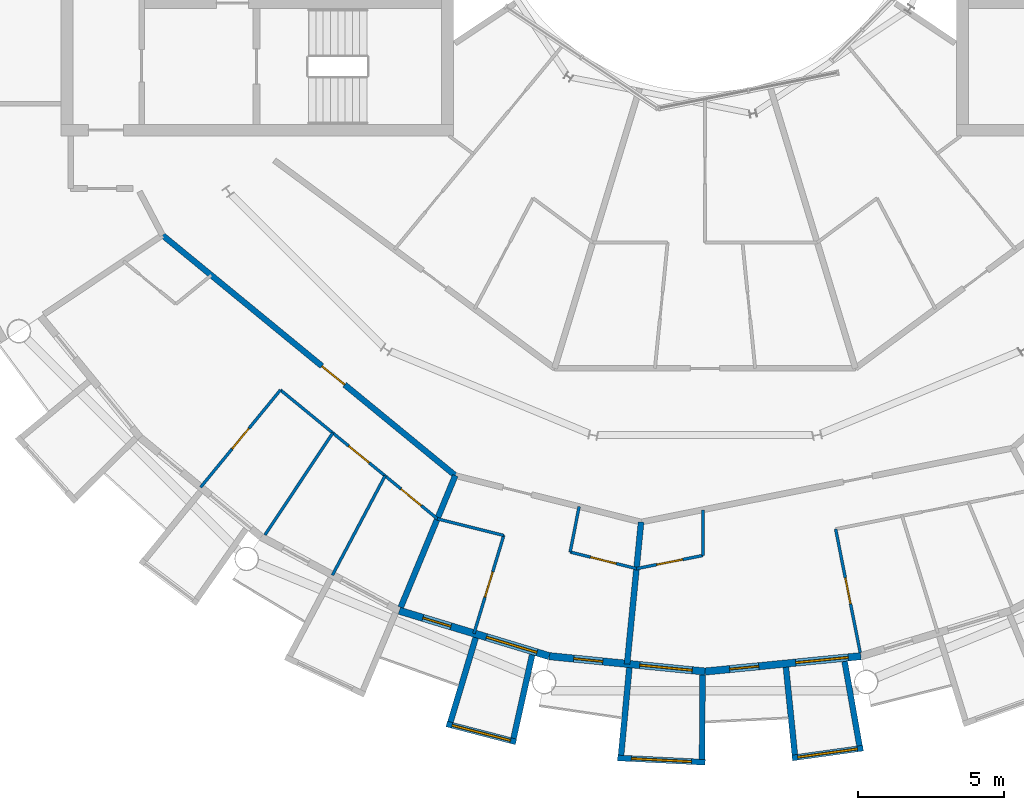
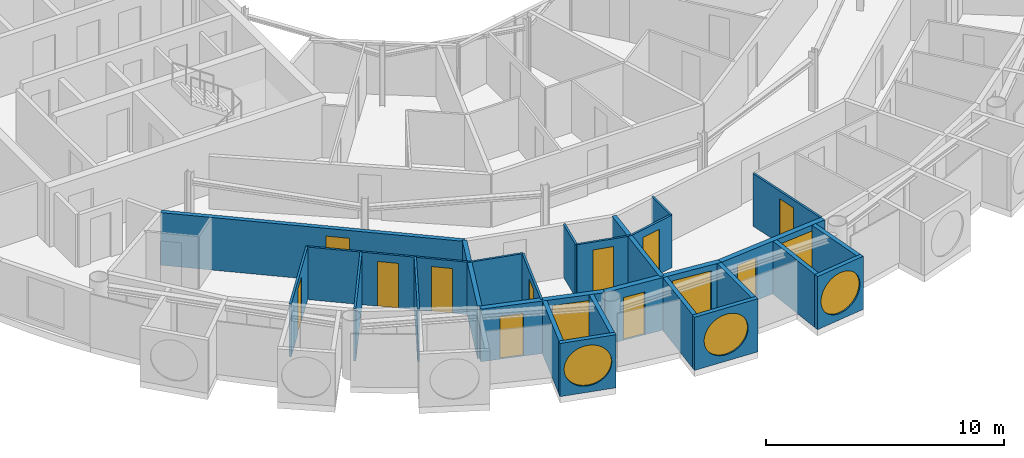
# One storey, part 15 of 28: 26 walls, 11 doors, 6 windows, 17 openings.
"""IFC4 building model written with IfcOpenShell, lengths in metres."""

from ifc_helpers import new_model, si_unit, direction, frame, frame_2d, origin, place, context, subcontext, project, spatial, rectangle, circle, extrude, material, layer, layer_set, type_object, element, fill, save


model = new_model("IFC4")

# Units and contexts
model_context = context("Model", 3, precision=1e-05, world=origin(), true_north=direction((0.0, 1.0)))
body_context = subcontext(model_context, "Body", "Model", "MODEL_VIEW")
ifc_project = project(units=[si_unit("LENGTHUNIT", "METRE"), si_unit("AREAUNIT", "SQUARE_METRE"), si_unit("VOLUMEUNIT", "CUBIC_METRE"), si_unit("PLANEANGLEUNIT", "RADIAN"), si_unit("MASSUNIT", "GRAM", prefix="KILO")], contexts=[model_context])

# Site, building, storey
site_placement = place(None, origin())
site = spatial("IfcSite", under=ifc_project, at=site_placement, CompositionType="ELEMENT")
building_placement = place(site_placement, origin())
building = spatial("IfcBuilding", under=site, at=building_placement, Name="Maasbend Ring Residences", CompositionType="ELEMENT")
storey_placement = place(building_placement, frame((0.0, 0.0, 227.949951171875)))
storey = spatial("IfcBuildingStorey", under=building, at=storey_placement, Name="L65", CompositionType="ELEMENT", Elevation=227.949951171875)

# Wall, opening, door
ifc_material_1 = material(Name="Concrete C30/37", Category="concrete")
ifc_layer_1 = layer(ifc_material_1, 0.199951171875)
ifc_layer_set_1 = layer_set([ifc_layer_1], Name="Concrete C30/37")
wall_type_1 = type_object("IfcWallType", Name="CORRIDOR WALL 200 CONCRETE", PredefinedType="PARTITIONING", material=ifc_layer_set_1)
wall_1_placement = place(storey_placement, frame((-18.5419921875, -12.388916015625, 0.0), z_axis=(0.0, 0.0, 1.0), x_axis=(0.772983503654, -0.634426121056, 0.0)))
wall_1 = element("IfcWall", 1, at=wall_1_placement, inside=storey, type_object=wall_type_1, Name="U-L65-w015", PredefinedType="PARTITIONING", context=body_context, shape_type="SweptSolid", body=[
    extrude(rectangle(XDim=12.947265625, YDim=0.199951171875, at=frame_2d((6.4736328125, 0.0))), origin(), (0.0, 0.0, 1.0), 2.699951171875),
])
opening_1_placement = place(wall_1_placement, frame((7.052978515625, 0.0, 0.0)))
opening_1 = element("IfcOpeningElement", 2, at=opening_1_placement, cuts=wall_1, Name="Opening D-6527", PredefinedType="OPENING", context=body_context, shape_type="SweptSolid", body=[
    extrude(rectangle(XDim=1.0, YDim=2.300048828125, at=frame_2d((0.5, 1.14990234375))), frame((0.0, 0.10986328125, 0.0), z_axis=(0.0, -1.0, 0.0), x_axis=(1.0, 0.0, 0.0)), (0.0, 0.0, 1.0), 0.219970703125),
])
ifc_material_2 = material(Name="Timber, fire-rated, painted", Category="wood")
door_type_1 = type_object("IfcDoorType", Name="FLAT ENTRANCE DOOR 1000 X 2300 FIRE-RATED", OperationType="NOTDEFINED", PredefinedType="DOOR", material=ifc_material_2)
door_1_placement = place(opening_1_placement, origin())
door_1 = element("IfcDoor", 3, at=door_1_placement, inside=storey, type_object=door_type_1, Name="D-6527", OperationType="SINGLE_SWING_RIGHT", OverallHeight=2.300048828125, OverallWidth=1.0, PredefinedType="DOOR", context=body_context, shape_type="SweptSolid", body=[
    extrude(rectangle(XDim=1.0, YDim=2.300048828125, at=frame_2d((0.5, 1.14990234375))), frame((0.0, 0.02490234375, 0.0), z_axis=(0.0, -1.0, 0.0), x_axis=(1.0, 0.0, 0.0)), (0.0, 0.0, 1.0), 0.050048828125),
])
fill(opening_1, door_1)

# Wall, opening, window
ifc_material_3 = material(Name="Pale anodised aluminium panel", Category="aluminium")
ifc_layer_2 = layer(ifc_material_3, 0.199951171875)
ifc_layer_set_2 = layer_set([ifc_layer_2], Name="EW-BOX")
wall_type_2 = type_object("IfcWallType", Name="EW-BOX", PredefinedType="SOLIDWALL", material=ifc_layer_set_2)
wall_2_placement = place(storey_placement, frame((-8.8291015625, -29.090087890625, -0.030029296875), z_axis=(0.0, 0.0, 1.0), x_axis=(0.96789536872, -0.251353446784, 0.0)))
wall_2 = element("IfcWall", 4, at=wall_2_placement, inside=storey, type_object=wall_type_2, Name="Box front S08", PredefinedType="SOLIDWALL", context=body_context, shape_type="SweptSolid", body=[
    extrude(rectangle(XDim=2.44677734375, YDim=0.199951171875, at=frame_2d((1.223388671875, 0.0))), origin(), (0.0, 0.0, 1.0), 2.72998046875),
])
opening_2_placement = place(wall_2_placement, frame((0.182861328125, 0.0, 0.330078125)))
opening_2 = element("IfcOpeningElement", 5, at=opening_2_placement, cuts=wall_2, Name="Opening W-RD", PredefinedType="OPENING", context=body_context, shape_type="SweptSolid", body=[
    extrude(circle(Radius=1.0400390625, at=frame_2d((1.0400390625, 1.0400390625))), frame((0.0, 0.10986328125, 0.0), z_axis=(0.0, -1.0, 0.0), x_axis=(1.0, 0.0, 0.0)), (0.0, 0.0, 1.0), 0.219970703125),
])
ifc_material_4 = material(Name="Aluminium and clear glass", Category="aluminium")
window_type_1 = type_object("IfcWindowType", Name="W-RD", PartitioningType="SINGLE_PANEL", PredefinedType="WINDOW", material=ifc_material_4)
window_1_placement = place(opening_2_placement, origin())
window_1 = element("IfcWindow", 6, at=window_1_placement, inside=storey, type_object=window_type_1, Name="Round window S08", OverallHeight=2.080078125, OverallWidth=2.080078125, PartitioningType="SINGLE_PANEL", PredefinedType="WINDOW", context=body_context, shape_type="SweptSolid", body=[
    extrude(circle(Radius=1.0400390625, at=frame_2d((1.0400390625, 1.0400390625))), frame((0.0, 0.030029296875, 0.0), z_axis=(0.0, -1.0, 0.0), x_axis=(1.0, 0.0, 0.0)), (0.0, 0.0, 1.0), 0.06005859375),
])
fill(opening_2, window_1)

# Walls
wall_3_placement = place(storey_placement, frame((-7.8369140625, -26.14404296875, -0.030029296875), z_axis=(0.0, 0.0, 1.0), x_axis=(-0.287064767992, -0.957911174889, 0.0)))
element("IfcWall", 7, at=wall_3_placement, inside=storey, type_object=wall_type_2, Name="Box side wall S08 left", PredefinedType="SOLIDWALL", context=body_context, shape_type="SweptSolid", body=[
    extrude(rectangle(XDim=3.00634765625, YDim=0.199951171875, at=frame_2d((1.503173828125, 0.0))), origin(), (0.0, 0.0, 1.0), 2.72998046875),
])
wall_4_placement = place(storey_placement, frame((-5.908935546875, -26.72900390625, -0.030029296875), z_axis=(0.0, 0.0, 1.0), x_axis=(-0.216409053917, -0.976302781612, 0.0)))
element("IfcWall", 8, at=wall_4_placement, inside=storey, type_object=wall_type_2, Name="Box side wall S08 right", PredefinedType="SOLIDWALL", context=body_context, shape_type="SweptSolid", body=[
    extrude(rectangle(XDim=2.92529296875, YDim=0.199951171875, at=frame_2d((1.462646484375, 0.0))), origin(), (0.0, 0.0, 1.0), 2.72998046875),
])

# Wall, opening, window
wall_5_placement = place(storey_placement, frame((-2.985107421875, -30.2529296875, -0.030029296875), z_axis=(0.0, 0.0, 1.0), x_axis=(0.998794083011, -0.049095618353, 0.0)))
wall_5 = element("IfcWall", 9, at=wall_5_placement, inside=storey, type_object=wall_type_2, Name="Box front S10", PredefinedType="SOLIDWALL", context=body_context, shape_type="SweptSolid", body=[
    extrude(rectangle(XDim=2.99365234375, YDim=0.199951171875, at=frame_2d((1.496826171875, 0.0))), origin(), (0.0, 0.0, 1.0), 2.72998046875),
])
opening_3_placement = place(wall_5_placement, frame((0.45654296875, 0.0, 0.330078125)))
opening_3 = element("IfcOpeningElement", 10, at=opening_3_placement, cuts=wall_5, Name="Opening W-RD", PredefinedType="OPENING", context=body_context, shape_type="SweptSolid", body=[
    extrude(circle(Radius=1.0400390625, at=frame_2d((1.0400390625, 1.0400390625))), frame((0.0, 0.10986328125, 0.0), z_axis=(0.0, -1.0, 0.0), x_axis=(1.0, 0.0, 0.0)), (0.0, 0.0, 1.0), 0.219970703125),
])
window_2_placement = place(opening_3_placement, origin())
window_2 = element("IfcWindow", 11, at=window_2_placement, inside=storey, type_object=window_type_1, Name="Round window S10", OverallHeight=2.080078125, OverallWidth=2.080078125, PartitioningType="SINGLE_PANEL", PredefinedType="WINDOW", context=body_context, shape_type="SweptSolid", body=[
    extrude(circle(Radius=1.0400390625, at=frame_2d((1.0400390625, 1.0400390625))), frame((0.0, 0.030029296875, 0.0), z_axis=(0.0, -1.0, 0.0), x_axis=(1.0, 0.0, 0.0)), (0.0, 0.0, 1.0), 0.06005859375),
])
fill(opening_3, window_2)

# Walls
wall_6_placement = place(storey_placement, frame((-2.5859375, -27.1708984375, -0.030029296875), z_axis=(0.0, 0.0, 1.0), x_axis=(-0.094548432284, -0.995520262954, 0.0)))
element("IfcWall", 12, at=wall_6_placement, inside=storey, type_object=wall_type_2, Name="Box side wall S10 left", PredefinedType="SOLIDWALL", context=body_context, shape_type="SweptSolid", body=[
    extrude(rectangle(XDim=3.005615234375, YDim=0.199951171875, at=frame_2d((1.5029296875, 0.0))), origin(), (0.0, 0.0, 1.0), 2.72998046875),
])
wall_7_placement = place(storey_placement, frame((-0.090087890625, -27.4169921875, -0.030029296875), z_axis=(0.0, 0.0, 1.0), x_axis=(-0.00347308367, -0.999993968827, 0.0)))
element("IfcWall", 13, at=wall_7_placement, inside=storey, type_object=wall_type_2, Name="Box side wall S10 right", PredefinedType="SOLIDWALL", context=body_context, shape_type="SweptSolid", body=[
    extrude(rectangle(XDim=2.882080078125, YDim=0.199951171875, at=frame_2d((1.44091796875, 0.0))), origin(), (0.0, 0.0, 1.0), 2.72998046875),
])

# Wall, opening, window
wall_8_placement = place(storey_placement, frame((2.97607421875, -30.25390625, -0.030029296875), z_axis=(0.0, 0.0, 1.0), x_axis=(0.990462016113, 0.137786046596, 0.0)))
wall_8 = element("IfcWall", 14, at=wall_8_placement, inside=storey, type_object=wall_type_2, Name="Box front S12", PredefinedType="SOLIDWALL", context=body_context, shape_type="SweptSolid", body=[
    extrude(rectangle(XDim=2.4453125, YDim=0.199951171875, at=frame_2d((1.22265625, 0.0))), origin(), (0.0, 0.0, 1.0), 2.72998046875),
])
opening_4_placement = place(wall_8_placement, frame((0.182861328125, 0.0, 0.330078125)))
opening_4 = element("IfcOpeningElement", 15, at=opening_4_placement, cuts=wall_8, Name="Opening W-RD", PredefinedType="OPENING", context=body_context, shape_type="SweptSolid", body=[
    extrude(circle(Radius=1.0400390625, at=frame_2d((1.0400390625, 1.0400390625))), frame((0.0, 0.10986328125, 0.0), z_axis=(0.0, -1.0, 0.0), x_axis=(1.0, 0.0, 0.0)), (0.0, 0.0, 1.0), 0.219970703125),
])
window_3_placement = place(opening_4_placement, origin())
window_3 = element("IfcWindow", 16, at=window_3_placement, inside=storey, type_object=window_type_1, Name="Round window S12", OverallHeight=2.080078125, OverallWidth=2.080078125, PartitioningType="SINGLE_PANEL", PredefinedType="WINDOW", context=body_context, shape_type="SweptSolid", body=[
    extrude(circle(Radius=1.0400390625, at=frame_2d((1.0400390625, 1.0400390625))), frame((0.0, 0.030029296875, 0.0), z_axis=(0.0, -1.0, 0.0), x_axis=(1.0, 0.0, 0.0)), (0.0, 0.0, 1.0), 0.06005859375),
])
fill(opening_4, window_3)

# Walls
wall_9_placement = place(storey_placement, frame((2.763916015625, -27.153076171875, -0.030029296875), z_axis=(0.0, 0.0, 1.0), x_axis=(0.101505487237, -0.994834979311, 0.0)))
element("IfcWall", 17, at=wall_9_placement, inside=storey, type_object=wall_type_2, Name="Box side wall S12 left", PredefinedType="SOLIDWALL", context=body_context, shape_type="SweptSolid", body=[
    extrude(rectangle(XDim=3.006591796875, YDim=0.199951171875, at=frame_2d((1.50341796875, 0.0))), origin(), (0.0, 0.0, 1.0), 2.72998046875),
])
wall_10_placement = place(storey_placement, frame((4.76904296875, -26.9560546875, -0.030029296875), z_axis=(0.0, 0.0, 1.0), x_axis=(0.174056778901, -0.984735618183, 0.0)))
element("IfcWall", 18, at=wall_10_placement, inside=storey, type_object=wall_type_2, Name="Box side wall S12 right", PredefinedType="SOLIDWALL", context=body_context, shape_type="SweptSolid", body=[
    extrude(rectangle(XDim=2.924560546875, YDim=0.199951171875, at=frame_2d((1.46240234375, 0.0))), origin(), (0.0, 0.0, 1.0), 2.72998046875),
])

# Wall, openings, door, window
ifc_material_5 = material(Name="Aluminium clad insulated panel", Category="aluminium")
ifc_layer_3 = layer(ifc_material_5, 0.25)
ifc_layer_set_3 = layer_set([ifc_layer_3], Name="EW-GL")
wall_type_3 = type_object("IfcWallType", Name="EW-GL", PredefinedType="SOLIDWALL", material=ifc_layer_set_3)
wall_11_placement = place(storey_placement, frame((-10.447021484375, -25.221923828125, 0.0), z_axis=(0.0, 0.0, 1.0), x_axis=(0.956965678721, -0.290201119486, 0.0)))
wall_11 = element("IfcWall", 19, at=wall_11_placement, inside=storey, type_object=wall_type_3, Name="External wall S04", PredefinedType="SOLIDWALL", context=body_context, shape_type="SweptSolid", body=[
    extrude(rectangle(XDim=5.351318359375, YDim=0.25, at=frame_2d((2.67578125, 0.0))), origin(), (0.0, 0.0, 1.0), 2.699951171875),
])
opening_5_placement = place(wall_11_placement, frame((0.841064453125, 0.0, 0.0)))
opening_5 = element("IfcOpeningElement", 20, at=opening_5_placement, cuts=wall_11, Name="Opening D-LG", PredefinedType="OPENING", context=body_context, shape_type="SweptSolid", body=[
    extrude(rectangle(XDim=1.0, YDim=2.199951171875, at=frame_2d((0.5, 1.10009765625))), frame((0.0, 0.135009765625, 0.0), z_axis=(0.0, -1.0, 0.0), x_axis=(1.0, 0.0, 0.0)), (0.0, 0.0, 1.0), 0.27001953125),
])
opening_6_placement = place(wall_11_placement, frame((3.110595703125, 0.0, 0.300048828125)))
opening_6 = element("IfcOpeningElement", 21, at=opening_6_placement, cuts=wall_11, Name="Opening W-BX", PredefinedType="OPENING", context=body_context, shape_type="SweptSolid", body=[
    extrude(rectangle(XDim=1.800048828125, YDim=2.10009765625, at=frame_2d((0.89990234375, 1.050048828125))), frame((0.0, 0.135009765625, 0.0), z_axis=(0.0, -1.0, 0.0), x_axis=(1.0, 0.0, 0.0)), (0.0, 0.0, 1.0), 0.27001953125),
])
ifc_material_6 = material(Name="Aluminium and clear glass", Category="aluminium")
door_type_2 = type_object("IfcDoorType", Name="D-LG", OperationType="SINGLE_SWING_LEFT", PredefinedType="DOOR", material=ifc_material_6)
door_2_placement = place(opening_5_placement, origin())
door_2 = element("IfcDoor", 22, at=door_2_placement, inside=storey, type_object=door_type_2, Name="Loggia door S07", OperationType="SINGLE_SWING_LEFT", OverallHeight=2.199951171875, OverallWidth=1.0, PredefinedType="DOOR", context=body_context, shape_type="SweptSolid", body=[
    extrude(rectangle(XDim=1.0, YDim=2.199951171875, at=frame_2d((0.5, 1.10009765625))), frame((0.0, 0.02490234375, 0.0), z_axis=(0.0, -1.0, 0.0), x_axis=(1.0, 0.0, 0.0)), (0.0, 0.0, 1.0), 0.050048828125),
])
fill(opening_5, door_2)
ifc_material_7 = material(Name="Aluminium and clear glass", Category="aluminium")
window_type_2 = type_object("IfcWindowType", Name="W-BX", PartitioningType="DOUBLE_PANEL_VERTICAL", PredefinedType="WINDOW", material=ifc_material_7)
window_4_placement = place(opening_6_placement, origin())
window_4 = element("IfcWindow", 23, at=window_4_placement, inside=storey, type_object=window_type_2, Name="Window S08 room to box", OverallHeight=2.10009765625, OverallWidth=1.800048828125, PartitioningType="SINGLE_PANEL", PredefinedType="WINDOW", context=body_context, shape_type="SweptSolid", body=[
    extrude(rectangle(XDim=1.800048828125, YDim=2.10009765625, at=frame_2d((0.89990234375, 1.050048828125))), frame((0.0, 0.030029296875, 0.0), z_axis=(0.0, -1.0, 0.0), x_axis=(1.0, 0.0, 0.0)), (0.0, 0.0, 1.0), 0.06005859375),
])
fill(opening_6, window_4)

wall_12_placement = place(storey_placement, frame((-5.325927734375, -26.77490234375, 0.0), z_axis=(0.0, 0.0, 1.0), x_axis=(0.995173996315, -0.098126026407, 0.0)))
wall_12 = element("IfcWall", 24, at=wall_12_placement, inside=storey, type_object=wall_type_3, Name="External wall S05", PredefinedType="SOLIDWALL", context=body_context, shape_type="SweptSolid", body=[
    extrude(rectangle(XDim=5.351806640625, YDim=0.25, at=frame_2d((2.67578125, 0.0))), origin(), (0.0, 0.0, 1.0), 2.699951171875),
])
opening_7_placement = place(wall_12_placement, frame((0.841064453125, 0.0, 0.0)))
opening_7 = element("IfcOpeningElement", 25, at=opening_7_placement, cuts=wall_12, Name="Opening D-LG", PredefinedType="OPENING", context=body_context, shape_type="SweptSolid", body=[
    extrude(rectangle(XDim=1.0, YDim=2.199951171875, at=frame_2d((0.5, 1.10009765625))), frame((0.0, 0.135009765625, 0.0), z_axis=(0.0, -1.0, 0.0), x_axis=(1.0, 0.0, 0.0)), (0.0, 0.0, 1.0), 0.27001953125),
])
opening_8_placement = place(wall_12_placement, frame((3.110595703125, 0.0, 0.300048828125)))
opening_8 = element("IfcOpeningElement", 26, at=opening_8_placement, cuts=wall_12, Name="Opening W-BX", PredefinedType="OPENING", context=body_context, shape_type="SweptSolid", body=[
    extrude(rectangle(XDim=1.800048828125, YDim=2.10009765625, at=frame_2d((0.89990234375, 1.050048828125))), frame((0.0, 0.135009765625, 0.0), z_axis=(0.0, -1.0, 0.0), x_axis=(1.0, 0.0, 0.0)), (0.0, 0.0, 1.0), 0.27001953125),
])
door_3_placement = place(opening_7_placement, origin())
door_3 = element("IfcDoor", 27, at=door_3_placement, inside=storey, type_object=door_type_2, Name="Loggia door S09", OperationType="SINGLE_SWING_LEFT", OverallHeight=2.199951171875, OverallWidth=1.0, PredefinedType="DOOR", context=body_context, shape_type="SweptSolid", body=[
    extrude(rectangle(XDim=1.0, YDim=2.199951171875, at=frame_2d((0.5, 1.10009765625))), frame((0.0, 0.02490234375, 0.0), z_axis=(0.0, -1.0, 0.0), x_axis=(1.0, 0.0, 0.0)), (0.0, 0.0, 1.0), 0.050048828125),
])
fill(opening_7, door_3)
window_5_placement = place(opening_8_placement, origin())
window_5 = element("IfcWindow", 28, at=window_5_placement, inside=storey, type_object=window_type_2, Name="Window S10 room to box", OverallHeight=2.10009765625, OverallWidth=1.800048828125, PartitioningType="SINGLE_PANEL", PredefinedType="WINDOW", context=body_context, shape_type="SweptSolid", body=[
    extrude(rectangle(XDim=1.800048828125, YDim=2.10009765625, at=frame_2d((0.89990234375, 1.050048828125))), frame((0.0, 0.030029296875, 0.0), z_axis=(0.0, -1.0, 0.0), x_axis=(1.0, 0.0, 0.0)), (0.0, 0.0, 1.0), 0.06005859375),
])
fill(opening_8, window_5)

wall_13_placement = place(storey_placement, frame((0.0, -27.300048828125, 0.0), z_axis=(0.0, 0.0, 1.0), x_axis=(0.995173996315, 0.098126026407, 0.0)))
wall_13 = element("IfcWall", 29, at=wall_13_placement, inside=storey, type_object=wall_type_3, Name="External wall S06", PredefinedType="SOLIDWALL", context=body_context, shape_type="SweptSolid", body=[
    extrude(rectangle(XDim=5.351806640625, YDim=0.25, at=frame_2d((2.67578125, 0.0))), origin(), (0.0, 0.0, 1.0), 2.699951171875),
])
opening_9_placement = place(wall_13_placement, frame((0.841064453125, 0.0, 0.0)))
opening_9 = element("IfcOpeningElement", 30, at=opening_9_placement, cuts=wall_13, Name="Opening D-LG", PredefinedType="OPENING", context=body_context, shape_type="SweptSolid", body=[
    extrude(rectangle(XDim=1.0, YDim=2.199951171875, at=frame_2d((0.5, 1.10009765625))), frame((0.0, 0.135009765625, 0.0), z_axis=(0.0, -1.0, 0.0), x_axis=(1.0, 0.0, 0.0)), (0.0, 0.0, 1.0), 0.27001953125),
])
opening_10_placement = place(wall_13_placement, frame((3.110595703125, 0.0, 0.300048828125)))
opening_10 = element("IfcOpeningElement", 31, at=opening_10_placement, cuts=wall_13, Name="Opening W-BX", PredefinedType="OPENING", context=body_context, shape_type="SweptSolid", body=[
    extrude(rectangle(XDim=1.800048828125, YDim=2.10009765625, at=frame_2d((0.89990234375, 1.050048828125))), frame((0.0, 0.135009765625, 0.0), z_axis=(0.0, -1.0, 0.0), x_axis=(1.0, 0.0, 0.0)), (0.0, 0.0, 1.0), 0.27001953125),
])
door_4_placement = place(opening_9_placement, origin())
door_4 = element("IfcDoor", 32, at=door_4_placement, inside=storey, type_object=door_type_2, Name="Loggia door S11", OperationType="SINGLE_SWING_LEFT", OverallHeight=2.199951171875, OverallWidth=1.0, PredefinedType="DOOR", context=body_context, shape_type="SweptSolid", body=[
    extrude(rectangle(XDim=1.0, YDim=2.199951171875, at=frame_2d((0.5, 1.10009765625))), frame((0.0, 0.02490234375, 0.0), z_axis=(0.0, -1.0, 0.0), x_axis=(1.0, 0.0, 0.0)), (0.0, 0.0, 1.0), 0.050048828125),
])
fill(opening_9, door_4)
window_6_placement = place(opening_10_placement, origin())
window_6 = element("IfcWindow", 33, at=window_6_placement, inside=storey, type_object=window_type_2, Name="Window S12 room to box", OverallHeight=2.10009765625, OverallWidth=1.800048828125, PartitioningType="SINGLE_PANEL", PredefinedType="WINDOW", context=body_context, shape_type="SweptSolid", body=[
    extrude(rectangle(XDim=1.800048828125, YDim=2.10009765625, at=frame_2d((0.89990234375, 1.050048828125))), frame((0.0, 0.030029296875, 0.0), z_axis=(0.0, -1.0, 0.0), x_axis=(1.0, 0.0, 0.0)), (0.0, 0.0, 1.0), 0.06005859375),
])
fill(opening_10, window_6)

# Wall
ifc_material_8 = material(Name="Gypsum board on steel studs", Category="steel")
ifc_layer_4 = layer(ifc_material_8, 0.10009765625)
ifc_layer_set_4 = layer_set([ifc_layer_4], Name="PARTITION 100 GYPSUM")
wall_type_4 = type_object("IfcWallType", Name="PARTITION 100 GYPSUM", PredefinedType="PARTITIONING", material=ifc_layer_set_4)
wall_14_placement = place(storey_placement, frame((-9.14599609375, -22.0810546875, 0.0), z_axis=(0.0, 0.0, 1.0), x_axis=(0.9700564467, -0.242879579658, 0.0)))
element("IfcWall", 34, at=wall_14_placement, inside=storey, type_object=wall_type_4, Name="U-L65-w001", PredefinedType="PARTITIONING", context=body_context, shape_type="SweptSolid", body=[
    extrude(rectangle(XDim=2.338134765625, YDim=0.10009765625, at=frame_2d((1.1689453125, 0.0))), origin(), (0.0, 0.0, 1.0), 2.699951171875),
])

# Wall, opening, door
wall_15_placement = place(storey_placement, frame((-4.60791015625, -23.218017578125, 0.0), z_axis=(0.0, 0.0, 1.0), x_axis=(0.970124059177, -0.242609376996, 0.0)))
wall_15 = element("IfcWall", 35, at=wall_15_placement, inside=storey, type_object=wall_type_4, Name="U-L65-w002", PredefinedType="PARTITIONING", context=body_context, shape_type="SweptSolid", body=[
    extrude(rectangle(XDim=2.336669921875, YDim=0.10009765625, at=frame_2d((1.16845703125, 0.0))), origin(), (0.0, 0.0, 1.0), 2.699951171875),
])
opening_11_placement = place(wall_15_placement, frame((0.716064453125, 0.0, 0.0)))
opening_11 = element("IfcOpeningElement", 36, at=opening_11_placement, cuts=wall_15, Name="Opening D-6533", PredefinedType="OPENING", context=body_context, shape_type="SweptSolid", body=[
    extrude(rectangle(XDim=0.89990234375, YDim=2.300048828125, at=frame_2d((0.449951171875, 1.14990234375))), frame((0.0, 0.06005859375, 0.0), z_axis=(0.0, -1.0, 0.0), x_axis=(1.0, 0.0, 0.0)), (0.0, 0.0, 1.0), 0.1201171875),
])
ifc_material_9 = material(Name="Timber, painted", Category="wood")
door_type_3 = type_object("IfcDoorType", Name="INTERNAL DOOR 900 X 2300", OperationType="NOTDEFINED", PredefinedType="DOOR", material=ifc_material_9)
door_5_placement = place(opening_11_placement, origin())
door_5 = element("IfcDoor", 37, at=door_5_placement, inside=storey, type_object=door_type_3, Name="D-6533", OperationType="SINGLE_SWING_LEFT", OverallHeight=2.300048828125, OverallWidth=0.89990234375, PredefinedType="DOOR", context=body_context, shape_type="SweptSolid", body=[
    extrude(rectangle(XDim=0.89990234375, YDim=2.300048828125, at=frame_2d((0.449951171875, 1.14990234375))), frame((0.0, 0.02490234375, 0.0), z_axis=(0.0, -1.0, 0.0), x_axis=(1.0, 0.0, 0.0)), (0.0, 0.0, 1.0), 0.050048828125),
])
fill(opening_11, door_5)

# Wall, openings, doors
wall_16_placement = place(storey_placement, frame((-14.509033203125, -17.678955078125, 0.0), z_axis=(0.0, 0.0, 1.0), x_axis=(0.772956112865, -0.634459492469, 0.0)))
wall_16 = element("IfcWall", 38, at=wall_16_placement, inside=storey, type_object=wall_type_4, Name="U-L65-w006", PredefinedType="PARTITIONING", context=body_context, shape_type="SweptSolid", body=[
    extrude(rectangle(XDim=6.938232421875, YDim=0.10009765625, at=frame_2d((3.46923828125, 0.0))), origin(), (0.0, 0.0, 1.0), 2.699951171875),
])
opening_12_placement = place(wall_16_placement, frame((3.02001953125, 0.0, 0.0)))
opening_12 = element("IfcOpeningElement", 39, at=opening_12_placement, cuts=wall_16, Name="Opening D-6530", PredefinedType="OPENING", context=body_context, shape_type="SweptSolid", body=[
    extrude(rectangle(XDim=0.89990234375, YDim=2.300048828125, at=frame_2d((0.449951171875, 1.14990234375))), frame((0.0, 0.06005859375, 0.0), z_axis=(0.0, -1.0, 0.0), x_axis=(1.0, 0.0, 0.0)), (0.0, 0.0, 1.0), 0.1201171875),
])
opening_13_placement = place(wall_16_placement, frame((5.330078125, 0.0, 0.0)))
opening_13 = element("IfcOpeningElement", 40, at=opening_13_placement, cuts=wall_16, Name="Opening D-6531", PredefinedType="OPENING", context=body_context, shape_type="SweptSolid", body=[
    extrude(rectangle(XDim=0.89990234375, YDim=2.300048828125, at=frame_2d((0.449951171875, 1.14990234375))), frame((0.0, 0.06005859375, 0.0), z_axis=(0.0, -1.0, 0.0), x_axis=(1.0, 0.0, 0.0)), (0.0, 0.0, 1.0), 0.1201171875),
])
door_6_placement = place(opening_12_placement, origin())
door_6 = element("IfcDoor", 41, at=door_6_placement, inside=storey, type_object=door_type_3, Name="D-6530", OperationType="SINGLE_SWING_RIGHT", OverallHeight=2.300048828125, OverallWidth=0.89990234375, PredefinedType="DOOR", context=body_context, shape_type="SweptSolid", body=[
    extrude(rectangle(XDim=0.89990234375, YDim=2.300048828125, at=frame_2d((0.449951171875, 1.14990234375))), frame((0.0, 0.02490234375, 0.0), z_axis=(0.0, -1.0, 0.0), x_axis=(1.0, 0.0, 0.0)), (0.0, 0.0, 1.0), 0.050048828125),
])
fill(opening_12, door_6)
door_7_placement = place(opening_13_placement, origin())
door_7 = element("IfcDoor", 42, at=door_7_placement, inside=storey, type_object=door_type_3, Name="D-6531", OperationType="SINGLE_SWING_RIGHT", OverallHeight=2.300048828125, OverallWidth=0.89990234375, PredefinedType="DOOR", context=body_context, shape_type="SweptSolid", body=[
    extrude(rectangle(XDim=0.89990234375, YDim=2.300048828125, at=frame_2d((0.449951171875, 1.14990234375))), frame((0.0, 0.02490234375, 0.0), z_axis=(0.0, -1.0, 0.0), x_axis=(1.0, 0.0, 0.0)), (0.0, 0.0, 1.0), 0.050048828125),
])
fill(opening_13, door_7)

# Wall, opening, door
wall_17_placement = place(storey_placement, frame((-2.343017578125, -23.784912109375, 0.0), z_axis=(0.0, 0.0, 1.0), x_axis=(0.98081942231, 0.194918600496, 0.0)))
wall_17 = element("IfcWall", 43, at=wall_17_placement, inside=storey, type_object=wall_type_4, Name="U-L65-w007", PredefinedType="PARTITIONING", context=body_context, shape_type="SweptSolid", body=[
    extrude(rectangle(XDim=2.3134765625, YDim=0.10009765625, at=frame_2d((1.15673828125, 0.0))), origin(), (0.0, 0.0, 1.0), 2.699951171875),
])
opening_14_placement = place(wall_17_placement, frame((0.70703125, 0.0, 0.0)))
opening_14 = element("IfcOpeningElement", 44, at=opening_14_placement, cuts=wall_17, Name="Opening D-6536", PredefinedType="OPENING", context=body_context, shape_type="SweptSolid", body=[
    extrude(rectangle(XDim=0.89990234375, YDim=2.300048828125, at=frame_2d((0.449951171875, 1.14990234375))), frame((0.0, 0.06005859375, 0.0), z_axis=(0.0, -1.0, 0.0), x_axis=(1.0, 0.0, 0.0)), (0.0, 0.0, 1.0), 0.1201171875),
])
door_8_placement = place(opening_14_placement, origin())
door_8 = element("IfcDoor", 45, at=door_8_placement, inside=storey, type_object=door_type_3, Name="D-6536", OperationType="SINGLE_SWING_LEFT", OverallHeight=2.300048828125, OverallWidth=0.89990234375, PredefinedType="DOOR", context=body_context, shape_type="SweptSolid", body=[
    extrude(rectangle(XDim=0.89990234375, YDim=2.300048828125, at=frame_2d((0.449951171875, 1.14990234375))), frame((0.0, 0.02490234375, 0.0), z_axis=(0.0, -1.0, 0.0), x_axis=(1.0, 0.0, 0.0)), (0.0, 0.0, 1.0), 0.050048828125),
])
fill(opening_14, door_8)

# Wall
wall_18_placement = place(storey_placement, frame((-15.0390625, -22.634033203125, 0.0), z_axis=(0.0, 0.0, 1.0), x_axis=(0.553609857728, 0.832776155654, 0.0)))
element("IfcWall", 46, at=wall_18_placement, inside=storey, type_object=wall_type_4, Name="U-L65-w030", PredefinedType="PARTITIONING", context=body_context, shape_type="SweptSolid", body=[
    extrude(rectangle(XDim=4.187255859375, YDim=0.10009765625, at=frame_2d((2.09375, 0.0))), origin(), (0.0, 0.0, 1.0), 2.699951171875),
])

# Wall, opening, door
wall_19_placement = place(storey_placement, frame((-17.239990234375, -21.007080078125, 0.0), z_axis=(0.0, 0.0, 1.0), x_axis=(0.634342681687, 0.77305197897, 0.0)))
wall_19 = element("IfcWall", 47, at=wall_19_placement, inside=storey, type_object=wall_type_4, Name="U-L65-w036", PredefinedType="PARTITIONING", context=body_context, shape_type="SweptSolid", body=[
    extrude(rectangle(XDim=4.30517578125, YDim=0.10009765625, at=frame_2d((2.152587890625, 0.0))), origin(), (0.0, 0.0, 1.0), 2.699951171875),
])
opening_15_placement = place(wall_19_placement, frame((1.702880859375, 0.0, 0.0)))
opening_15 = element("IfcOpeningElement", 48, at=opening_15_placement, cuts=wall_19, Name="Opening D-6529", PredefinedType="OPENING", context=body_context, shape_type="SweptSolid", body=[
    extrude(rectangle(XDim=0.89990234375, YDim=2.300048828125, at=frame_2d((0.449951171875, 1.14990234375))), frame((0.0, 0.06005859375, 0.0), z_axis=(0.0, -1.0, 0.0), x_axis=(1.0, 0.0, 0.0)), (0.0, 0.0, 1.0), 0.1201171875),
])
door_9_placement = place(opening_15_placement, origin())
door_9 = element("IfcDoor", 49, at=door_9_placement, inside=storey, type_object=door_type_3, Name="D-6529", OperationType="SINGLE_SWING_LEFT", OverallHeight=2.300048828125, OverallWidth=0.89990234375, PredefinedType="DOOR", context=body_context, shape_type="SweptSolid", body=[
    extrude(rectangle(XDim=0.89990234375, YDim=2.300048828125, at=frame_2d((0.449951171875, 1.14990234375))), frame((0.0, 0.02490234375, 0.0), z_axis=(0.0, -1.0, 0.0), x_axis=(1.0, 0.0, 0.0)), (0.0, 0.0, 1.0), 0.050048828125),
])
fill(opening_15, door_9)

# Wall
wall_20_placement = place(storey_placement, frame((-12.73388671875, -24.007080078125, 0.0), z_axis=(0.0, 0.0, 1.0), x_axis=(0.468594334564, 0.883413464701, 0.0)))
element("IfcWall", 50, at=wall_20_placement, inside=storey, type_object=wall_type_4, Name="U-L65-w038", PredefinedType="PARTITIONING", context=body_context, shape_type="SweptSolid", body=[
    extrude(rectangle(XDim=3.8408203125, YDim=0.10009765625, at=frame_2d((1.92041015625, 0.0))), origin(), (0.0, 0.0, 1.0), 2.699951171875),
])

# Wall, opening, door
wall_21_placement = place(storey_placement, frame((-7.89697265625, -26.001953125, 0.0), z_axis=(0.0, 0.0, 1.0), x_axis=(0.290784578865, 0.956788549625, 0.0)))
wall_21 = element("IfcWall", 51, at=wall_21_placement, inside=storey, type_object=wall_type_4, Name="U-L65-w044", PredefinedType="PARTITIONING", context=body_context, shape_type="SweptSolid", body=[
    extrude(rectangle(XDim=3.50439453125, YDim=0.10009765625, at=frame_2d((1.752197265625, 0.0))), origin(), (0.0, 0.0, 1.0), 2.699951171875),
])
opening_16_placement = place(wall_21_placement, frame((1.302001953125, 0.0, 0.0)))
opening_16 = element("IfcOpeningElement", 52, at=opening_16_placement, cuts=wall_21, Name="Opening D-6534", PredefinedType="OPENING", context=body_context, shape_type="SweptSolid", body=[
    extrude(rectangle(XDim=0.89990234375, YDim=2.300048828125, at=frame_2d((0.449951171875, 1.14990234375))), frame((0.0, 0.06005859375, 0.0), z_axis=(0.0, -1.0, 0.0), x_axis=(1.0, 0.0, 0.0)), (0.0, 0.0, 1.0), 0.1201171875),
])
door_10_placement = place(opening_16_placement, origin())
door_10 = element("IfcDoor", 53, at=door_10_placement, inside=storey, type_object=door_type_3, Name="D-6534", OperationType="SINGLE_SWING_RIGHT", OverallHeight=2.300048828125, OverallWidth=0.89990234375, PredefinedType="DOOR", context=body_context, shape_type="SweptSolid", body=[
    extrude(rectangle(XDim=0.89990234375, YDim=2.300048828125, at=frame_2d((0.449951171875, 1.14990234375))), frame((0.0, 0.02490234375, 0.0), z_axis=(0.0, -1.0, 0.0), x_axis=(1.0, 0.0, 0.0)), (0.0, 0.0, 1.0), 0.050048828125),
])
fill(opening_16, door_10)

# Wall
wall_22_placement = place(storey_placement, frame((-0.073974609375, -23.333984375, 0.0), z_axis=(0.0, 0.0, 1.0), x_axis=(0.003125961595, 0.99999511417, 0.0)))
element("IfcWall", 54, at=wall_22_placement, inside=storey, type_object=wall_type_4, Name="U-L65-w053", PredefinedType="PARTITIONING", context=body_context, shape_type="SweptSolid", body=[
    extrude(rectangle(XDim=1.56201171875, YDim=0.10009765625, at=frame_2d((0.781005859375, 0.0))), origin(), (0.0, 0.0, 1.0), 2.699951171875),
])

# Wall, opening, door
wall_23_placement = place(storey_placement, frame((4.4619140625, -22.430908203125, 0.0), z_axis=(0.0, 0.0, 1.0), x_axis=(0.195145394338, -0.98077432423, 0.0)))
wall_23 = element("IfcWall", 55, at=wall_23_placement, inside=storey, type_object=wall_type_4, Name="U-L65-w060", PredefinedType="PARTITIONING", context=body_context, shape_type="SweptSolid", body=[
    extrude(rectangle(XDim=4.304931640625, YDim=0.10009765625, at=frame_2d((2.15234375, 0.0))), origin(), (0.0, 0.0, 1.0), 2.699951171875),
])
opening_17_placement = place(wall_23_placement, frame((1.701904296875, 0.0, 0.0)))
opening_17 = element("IfcOpeningElement", 56, at=opening_17_placement, cuts=wall_23, Name="Opening D-6537", PredefinedType="OPENING", context=body_context, shape_type="SweptSolid", body=[
    extrude(rectangle(XDim=0.89990234375, YDim=2.300048828125, at=frame_2d((0.449951171875, 1.14990234375))), frame((0.0, 0.06005859375, 0.0), z_axis=(0.0, -1.0, 0.0), x_axis=(1.0, 0.0, 0.0)), (0.0, 0.0, 1.0), 0.1201171875),
])
door_11_placement = place(opening_17_placement, origin())
door_11 = element("IfcDoor", 57, at=door_11_placement, inside=storey, type_object=door_type_3, Name="D-6537", OperationType="SINGLE_SWING_RIGHT", OverallHeight=2.300048828125, OverallWidth=0.89990234375, PredefinedType="DOOR", context=body_context, shape_type="SweptSolid", body=[
    extrude(rectangle(XDim=0.89990234375, YDim=2.300048828125, at=frame_2d((0.449951171875, 1.14990234375))), frame((0.0, 0.02490234375, 0.0), z_axis=(0.0, -1.0, 0.0), x_axis=(1.0, 0.0, 0.0)), (0.0, 0.0, 1.0), 0.050048828125),
])
fill(opening_17, door_11)

# Walls
wall_24_placement = place(storey_placement, frame((-4.610107421875, -23.217041015625, 0.0), z_axis=(0.0, 0.0, 1.0), x_axis=(0.194485862594, 0.980905321247, 0.0)))
element("IfcWall", 58, at=wall_24_placement, inside=storey, type_object=wall_type_4, Name="U-L65-w082", PredefinedType="PARTITIONING", context=body_context, shape_type="SweptSolid", body=[
    extrude(rectangle(XDim=1.584228515625, YDim=0.10009765625, at=frame_2d((0.7919921875, 0.0))), origin(), (0.0, 0.0, 1.0), 2.699951171875),
])
ifc_material_10 = material(Name="Concrete C30/37", Category="concrete")
ifc_layer_5 = layer(ifc_material_10, 0.199951171875)
ifc_layer_set_5 = layer_set([ifc_layer_5], Name="Concrete C30/37")
wall_type_5 = type_object("IfcWallType", Name="PARTY WALL 200 CONCRETE", PredefinedType="PARTITIONING", material=ifc_layer_set_5)
wall_25_placement = place(storey_placement, frame((-10.39892578125, -25.10595703125, 0.0), z_axis=(0.0, 0.0, 1.0), x_axis=(0.382651153718, 0.923892902104, 0.0)))
element("IfcWall", 59, at=wall_25_placement, inside=storey, type_object=wall_type_5, Name="U-L65-w041", PredefinedType="PARTITIONING", context=body_context, shape_type="SweptSolid", body=[
    extrude(rectangle(XDim=4.873779296875, YDim=0.199951171875, at=frame_2d((2.43701171875, 0.0))), origin(), (0.0, 0.0, 1.0), 2.699951171875),
])
wall_26_placement = place(storey_placement, frame((-2.6640625, -27.0439453125, 0.0), z_axis=(0.0, 0.0, 1.0), x_axis=(0.098070432075, 0.995179476453, 0.0)))
element("IfcWall", 60, at=wall_26_placement, inside=storey, type_object=wall_type_5, Name="U-L65-w050", PredefinedType="PARTITIONING", context=body_context, shape_type="SweptSolid", body=[
    extrude(rectangle(XDim=4.874267578125, YDim=0.199951171875, at=frame_2d((2.43701171875, 0.0))), origin(), (0.0, 0.0, 1.0), 2.699951171875),
])

save(model, "model.ifc")
